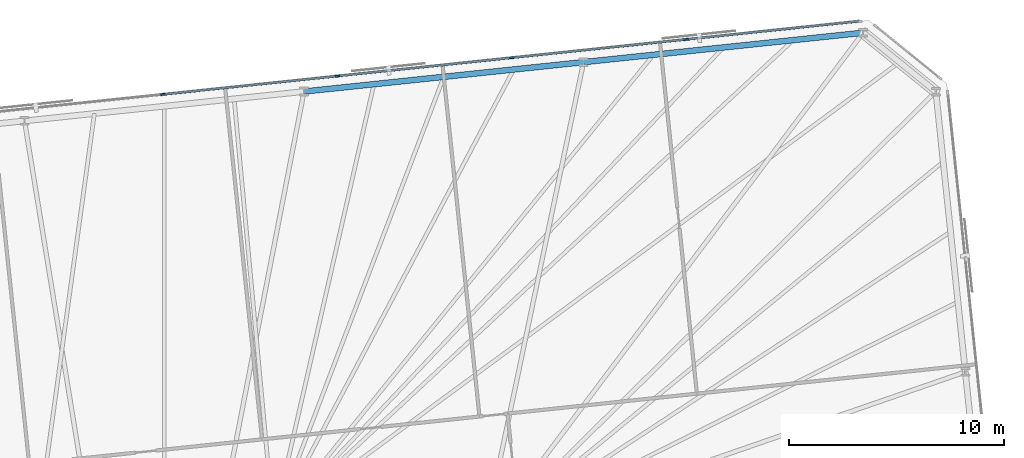
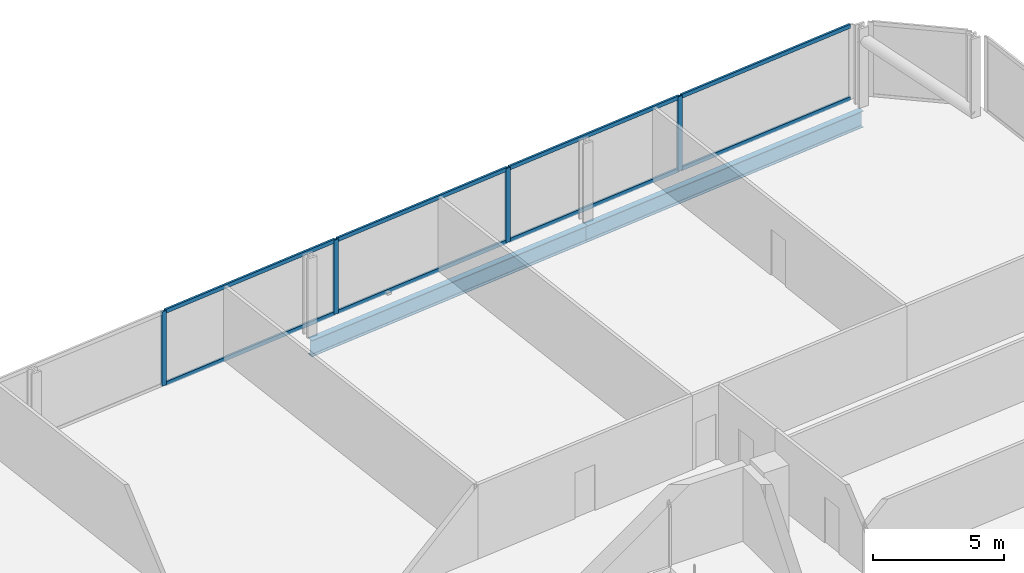
# One storey, part 11 of 18: 12 members, 2 beams, 1 element without a shape of its own.
"""IFC4 building model written with IfcOpenShell, lengths in metres."""

from ifc_helpers import new_model, si_unit, direction, frame, origin, origin_2d, place, context, subcontext, project, spatial, rectangle, i_section, extrude, material, material_profile, profile_set, type_object, element, aggregate, save


model = new_model("IFC4")

# Units and contexts
model_context = context("Model", 3, precision=1e-05, world=origin(), true_north=direction((0.0, 1.0)))
body_context = subcontext(model_context, "Body", "Model", "MODEL_VIEW")
ifc_project = project(units=[si_unit("LENGTHUNIT", "METRE"), si_unit("AREAUNIT", "SQUARE_METRE"), si_unit("VOLUMEUNIT", "CUBIC_METRE"), si_unit("PLANEANGLEUNIT", "RADIAN"), si_unit("MASSUNIT", "GRAM", prefix="KILO")], contexts=[model_context])

# Site, building, storey
site_placement = place(None, origin())
site = spatial("IfcSite", under=ifc_project, at=site_placement, CompositionType="ELEMENT")
building_placement = place(site_placement, origin())
building = spatial("IfcBuilding", under=site, at=building_placement, Name="Menara Jurai Vektor", CompositionType="ELEMENT")
storey_placement = place(building_placement, frame((0.0, 0.0, 120.699951171875)))
storey = spatial("IfcBuildingStorey", under=building, at=storey_placement, Name="L30", CompositionType="ELEMENT", Elevation=120.699951171875)

# Curtain wall, members
ifc_material_1 = material(Name="Anodised Pale Aluminium & Low-E Double Glazing", Category="aluminium")
curtain_wall_type = type_object("IfcCurtainWallType", Name="CW-BLK2", PredefinedType="NOTDEFINED", material=ifc_material_1)
curtain_wall_placement = place(storey_placement, origin())
curtain_wall = element("IfcCurtainWall", 1, at=curtain_wall_placement, inside=storey, type_object=curtain_wall_type, Name="Unitised Curtain Wall L30 F05", PredefinedType="NOTDEFINED")
ifc_material_2 = material(Name="Anodised Pale Aluminium Mullion", Category="aluminium")
ifc_material_profile_1 = material_profile(ifc_material_2, rectangle(XDim=0.090087890625, YDim=0.219970703125, at=origin_2d()), Name="ALU MUL 90x220")
ifc_profile_set_1 = profile_set([ifc_material_profile_1], Name="Anodised Pale Aluminium Mullion")
member_type_1 = type_object("IfcMemberType", Name="CW-BLK2-MUL", PredefinedType="MULLION", material=ifc_profile_set_1)
member_1_placement = place(storey_placement, frame((24.663330078125, 28.075927734375, 0.0), z_axis=(0.0, 0.0, 1.0), x_axis=(0.104528634935, -0.994521877325, 0.0)))
member_1 = element("IfcMember", 2, at=member_1_placement, type_object=member_type_1, Name="CW-02 mullion 2", PredefinedType="MULLION", context=body_context, shape_type="SweptSolid", body=[
    extrude(rectangle(XDim=0.090087890625, YDim=0.219970703125, at=origin_2d()), origin(), (0.0, 0.0, 1.0), 3.47509765625),
])
member_2_placement = place(storey_placement, frame((16.5654296875, 27.224853515625, 0.0), z_axis=(0.0, 0.0, 1.0), x_axis=(0.104528634935, -0.994521877325, 0.0)))
member_2 = element("IfcMember", 3, at=member_2_placement, type_object=member_type_1, Name="CW-02 mullion 3", PredefinedType="MULLION", context=body_context, shape_type="SweptSolid", body=[
    extrude(rectangle(XDim=0.090087890625, YDim=0.219970703125, at=origin_2d()), origin(), (0.0, 0.0, 1.0), 3.47509765625),
])
member_3_placement = place(storey_placement, frame((8.467529296875, 26.373779296875, 0.0), z_axis=(0.0, 0.0, 1.0), x_axis=(0.104528634935, -0.994521877325, 0.0)))
member_3 = element("IfcMember", 4, at=member_3_placement, type_object=member_type_1, Name="CW-02 mullion 4", PredefinedType="MULLION", context=body_context, shape_type="SweptSolid", body=[
    extrude(rectangle(XDim=0.090087890625, YDim=0.219970703125, at=origin_2d()), origin(), (0.0, 0.0, 1.0), 3.47509765625),
])
member_4_placement = place(storey_placement, frame((0.36962890625, 25.522705078125, 0.0), z_axis=(0.0, 0.0, 1.0), x_axis=(0.104528634935, -0.994521877325, 0.0)))
member_4 = element("IfcMember", 5, at=member_4_placement, type_object=member_type_1, Name="CW-02 mullion 5", PredefinedType="MULLION", context=body_context, shape_type="SweptSolid", body=[
    extrude(rectangle(XDim=0.090087890625, YDim=0.219970703125, at=origin_2d()), origin(), (0.0, 0.0, 1.0), 3.47509765625),
])
ifc_material_3 = material(Name="Anodised Pale Aluminium Transom", Category="aluminium")
ifc_material_profile_2 = material_profile(ifc_material_3, rectangle(XDim=0.090087890625, YDim=0.18505859375, at=origin_2d()), Name="ALU TRN 90x185")
ifc_profile_set_2 = profile_set([ifc_material_profile_2], Name="Anodised Pale Aluminium Transom")
member_type_2 = type_object("IfcMemberType", Name="CW-BLK2-TRN", PredefinedType="USERDEFINED", material=ifc_profile_set_2)
member_5_placement = place(storey_placement, frame((32.671875, 28.917724609375, 0.045166015625), z_axis=(-0.994519977808, -0.104546706027, 0.0), x_axis=(0.104546706027, -0.994519977808, 0.0)))
member_5 = element("IfcMember", 6, at=member_5_placement, type_object=member_type_2, Name="CW-02 transom 1.1", ObjectType="TRANSOM", PredefinedType="USERDEFINED", context=body_context, shape_type="SweptSolid", body=[
    extrude(rectangle(XDim=0.090087890625, YDim=0.18505859375, at=origin_2d()), origin(), (0.0, 0.0, 1.0), 8.007568359375),
])
member_6_placement = place(storey_placement, frame((32.671875, 28.917724609375, 3.429931640625), z_axis=(-0.994519977808, -0.104546706027, 0.0), x_axis=(0.104546706027, -0.994519977808, 0.0)))
member_6 = element("IfcMember", 7, at=member_6_placement, type_object=member_type_2, Name="CW-02 transom 1.2", ObjectType="TRANSOM", PredefinedType="USERDEFINED", context=body_context, shape_type="SweptSolid", body=[
    extrude(rectangle(XDim=0.090087890625, YDim=0.18505859375, at=origin_2d()), origin(), (0.0, 0.0, 1.0), 8.007568359375),
])
member_7_placement = place(storey_placement, frame((24.61865234375, 28.0712890625, 0.045166015625), z_axis=(-0.994520726373, -0.10453958492, 0.0), x_axis=(0.10453958492, -0.994520726373, 0.0)))
member_7 = element("IfcMember", 8, at=member_7_placement, type_object=member_type_2, Name="CW-02 transom 2.1", ObjectType="TRANSOM", PredefinedType="USERDEFINED", context=body_context, shape_type="SweptSolid", body=[
    extrude(rectangle(XDim=0.090087890625, YDim=0.18505859375, at=origin_2d()), origin(), (0.0, 0.0, 1.0), 8.052490234375),
])
member_8_placement = place(storey_placement, frame((24.61865234375, 28.0712890625, 3.429931640625), z_axis=(-0.994520726373, -0.10453958492, 0.0), x_axis=(0.10453958492, -0.994520726373, 0.0)))
member_8 = element("IfcMember", 9, at=member_8_placement, type_object=member_type_2, Name="CW-02 transom 2.2", ObjectType="TRANSOM", PredefinedType="USERDEFINED", context=body_context, shape_type="SweptSolid", body=[
    extrude(rectangle(XDim=0.090087890625, YDim=0.18505859375, at=origin_2d()), origin(), (0.0, 0.0, 1.0), 8.052490234375),
])
member_9_placement = place(storey_placement, frame((16.520751953125, 27.22021484375, 0.045166015625), z_axis=(-0.994520726373, -0.10453958492, 0.0), x_axis=(0.10453958492, -0.994520726373, 0.0)))
member_9 = element("IfcMember", 10, at=member_9_placement, type_object=member_type_2, Name="CW-02 transom 3.1", ObjectType="TRANSOM", PredefinedType="USERDEFINED", context=body_context, shape_type="SweptSolid", body=[
    extrude(rectangle(XDim=0.090087890625, YDim=0.18505859375, at=origin_2d()), origin(), (0.0, 0.0, 1.0), 8.052490234375),
])
member_10_placement = place(storey_placement, frame((16.520751953125, 27.22021484375, 3.429931640625), z_axis=(-0.994520726373, -0.10453958492, 0.0), x_axis=(0.10453958492, -0.994520726373, 0.0)))
member_10 = element("IfcMember", 11, at=member_10_placement, type_object=member_type_2, Name="CW-02 transom 3.2", ObjectType="TRANSOM", PredefinedType="USERDEFINED", context=body_context, shape_type="SweptSolid", body=[
    extrude(rectangle(XDim=0.090087890625, YDim=0.18505859375, at=origin_2d()), origin(), (0.0, 0.0, 1.0), 8.052490234375),
])
member_11_placement = place(storey_placement, frame((8.4228515625, 26.369140625, 0.045166015625), z_axis=(-0.994520726373, -0.10453958492, 0.0), x_axis=(0.10453958492, -0.994520726373, 0.0)))
member_11 = element("IfcMember", 12, at=member_11_placement, type_object=member_type_2, Name="CW-02 transom 4.1", ObjectType="TRANSOM", PredefinedType="USERDEFINED", context=body_context, shape_type="SweptSolid", body=[
    extrude(rectangle(XDim=0.090087890625, YDim=0.18505859375, at=origin_2d()), origin(), (0.0, 0.0, 1.0), 8.052490234375),
])
member_12_placement = place(storey_placement, frame((8.4228515625, 26.369140625, 3.429931640625), z_axis=(-0.994520726373, -0.10453958492, 0.0), x_axis=(0.10453958492, -0.994520726373, 0.0)))
member_12 = element("IfcMember", 13, at=member_12_placement, type_object=member_type_2, Name="CW-02 transom 4.2", ObjectType="TRANSOM", PredefinedType="USERDEFINED", context=body_context, shape_type="SweptSolid", body=[
    extrude(rectangle(XDim=0.090087890625, YDim=0.18505859375, at=origin_2d()), origin(), (0.0, 0.0, 1.0), 8.052490234375),
])
aggregate(curtain_wall, [member_1, member_2, member_3, member_4, member_5, member_6, member_7, member_8, member_9, member_10, member_11, member_12])

# Beams
ifc_material_4 = material(Name="Steel S460", Category="steel")
ifc_material_profile_3 = material_profile(ifc_material_4, i_section(OverallWidth=0.26806640625, OverallDepth=0.77001953125, WebThickness=0.01611328125, FlangeThickness=0.02490234375, FilletRadius=0.01708984375, at=origin_2d()), Name="UKB 762x267x197")
ifc_profile_set_3 = profile_set([ifc_material_profile_3], Name="Steel S460")
beam_type = type_object("IfcBeamType", Name="STR-SP-762", PredefinedType="SPANDREL", material=ifc_profile_set_3)
beam_1_placement = place(storey_placement, frame((32.876220703125, 28.38623046875, -0.60986328125), z_axis=(-0.994521431679, -0.104532874882, 0.0), x_axis=(0.104532874882, -0.994521431679, 0.0)))
element("IfcBeam", 14, at=beam_1_placement, inside=storey, type_object=beam_type, Name="Exoskeleton Spandrel Beam L30-11", PredefinedType="SPANDREL", context=body_context, shape_type="SweptSolid", body=[
    extrude(i_section(OverallWidth=0.26806640625, OverallDepth=0.77001953125, WebThickness=0.01611328125, FlangeThickness=0.02490234375, FilletRadius=0.01708984375, at=origin_2d()), origin(), (0.0, 0.0, 1.0), 13.051025390625),
])
beam_2_placement = place(storey_placement, frame((19.896728515625, 27.02197265625, -0.60986328125), z_axis=(-0.994521636083, -0.104530930169, 0.0), x_axis=(0.104530930169, -0.994521636083, 0.0)))
element("IfcBeam", 15, at=beam_2_placement, inside=storey, type_object=beam_type, Name="Exoskeleton Spandrel Beam L30-12", PredefinedType="SPANDREL", context=body_context, shape_type="SweptSolid", body=[
    extrude(i_section(OverallWidth=0.26806640625, OverallDepth=0.77001953125, WebThickness=0.01611328125, FlangeThickness=0.02490234375, FilletRadius=0.01708984375, at=origin_2d()), origin(), (0.0, 0.0, 1.0), 13.05126953125),
])

save(model, "model.ifc")
